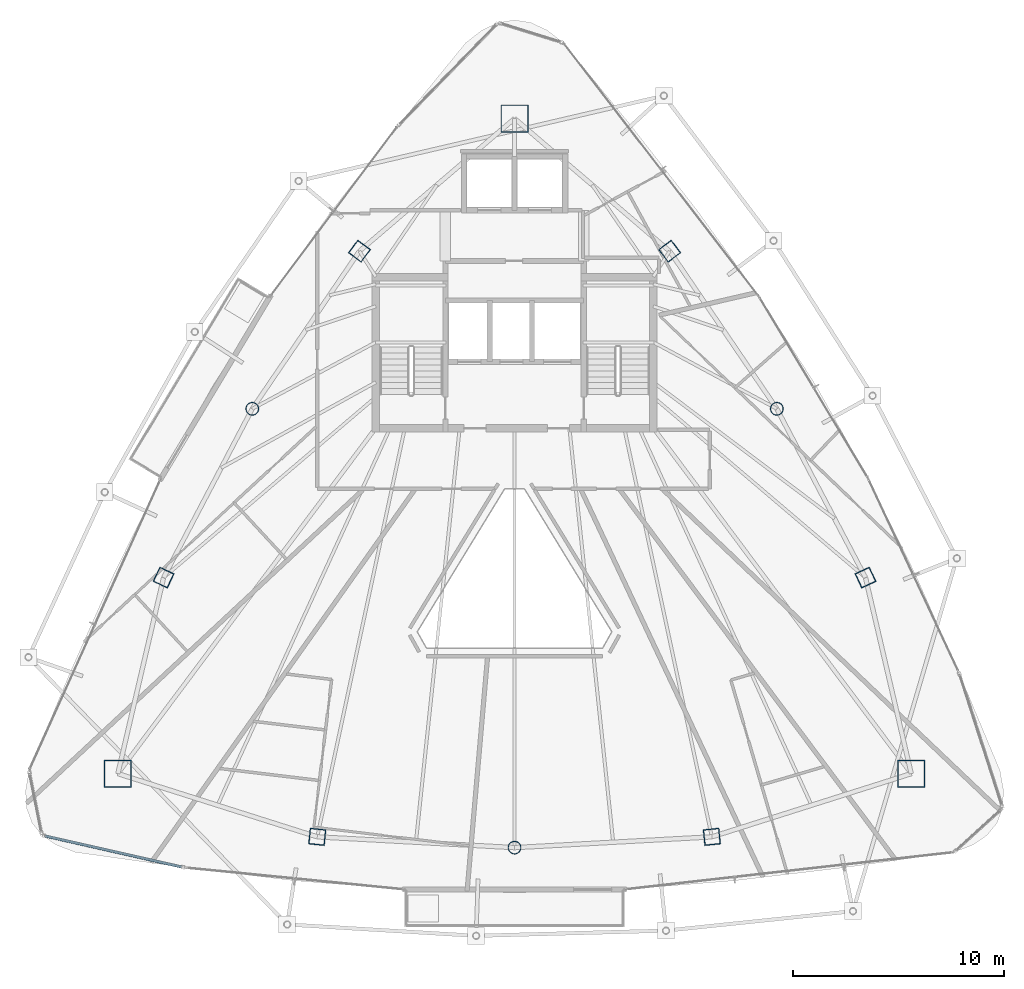
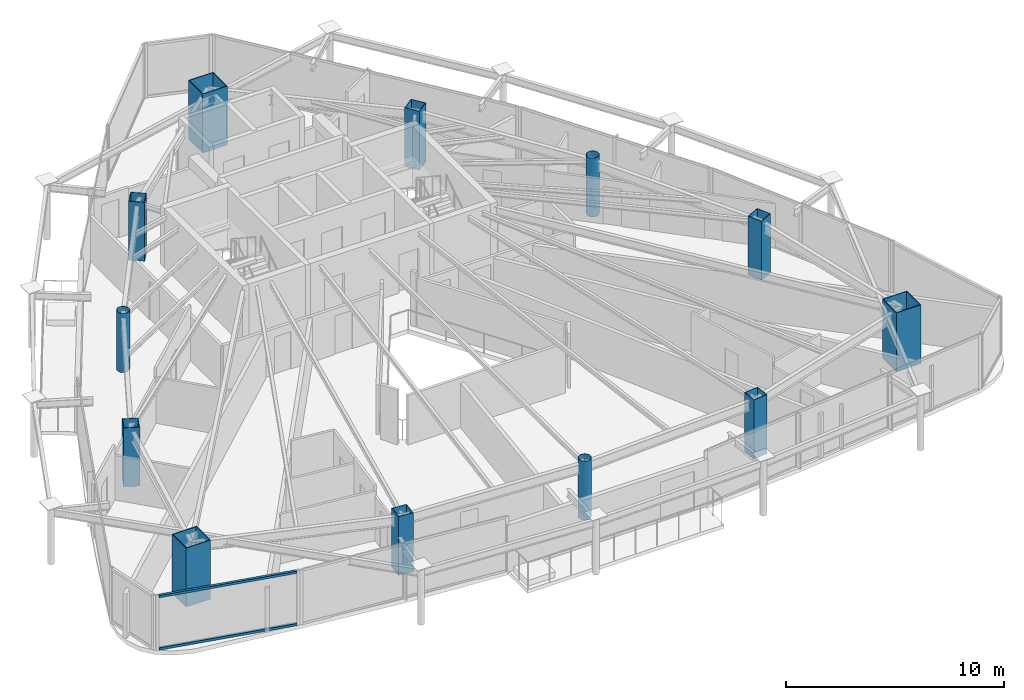
# One storey, part 1 of 32: 12 columns, 2 members, 1 element without a shape of its own.
"""IFC4 building model written with IfcOpenShell, lengths in metres."""

import ifcopenshell
import ifcopenshell.guid

model = None  # the IFC model being written
_history = None  # IfcOwnerHistory: only IFC2X3 demands one
_inside = {}  # id of a spatial element -> (the spatial element, [elements in it])
_under = {}  # id of a project, library or spatial element -> (it, [spatial elements below it])
_declared = {}  # id of a project -> (the project, [libraries it declares])
_typed = {}  # id of a type object -> (the type object, [elements of that type])
_made_of = {}  # id of a material, layer set ... -> (it, [elements and type objects made of it])


def new_model(schema):
    """Start an empty IFC model of exactly this schema.

    Asked for "IFC4X3", IfcOpenShell would pick the latest addendum, in which some entities
    have other attributes; the version numbers below select the first issue.
    IFC2X3 requires an IfcOwnerHistory on every rooted entity: one is made here for all.
    """
    global model, _history
    if schema == "IFC4X3":
        model = ifcopenshell.file(schema_version=(4, 3, 0, 0))
    else:
        model = ifcopenshell.file(schema=schema)
    _inside.clear()
    _under.clear()
    _declared.clear()
    _typed.clear()
    _made_of.clear()
    _history = None
    if model.schema == "IFC2X3":
        org = make("IfcOrganization", Name="unknown")
        user = make(
            "IfcPersonAndOrganization",
            ThePerson=make("IfcPerson", FamilyName="unknown"),
            TheOrganization=org,
        )
        app = make(
            "IfcApplication",
            ApplicationDeveloper=org,
            Version="unknown",
            ApplicationFullName="unknown",
            ApplicationIdentifier="unknown",
        )
        _history = make(
            "IfcOwnerHistory",
            OwningUser=user,
            OwningApplication=app,
            ChangeAction="ADDED",
            CreationDate=0,
        )
    return model


def make(cls, **values):
    """One entity of the class cls with the attributes given. An attribute that is None is left unset."""
    return model.create_entity(
        cls, **{name: value for name, value in values.items() if value is not None}
    )


def rooted(cls, **values):
    """An entity with a GlobalId (a new one), such as an element, a storey or a relation."""
    return make(cls, GlobalId=ifcopenshell.guid.new(), OwnerHistory=_history, **values)


def si_unit(unit_type, name, prefix=None):
    """IfcSIUnit, for example si_unit("LENGTHUNIT", "METRE", prefix="MILLI")."""
    return make("IfcSIUnit", UnitType=unit_type, Prefix=prefix, Name=name)


def assignment(units):
    """IfcUnitAssignment: the units of a project."""
    return None if units is None else make("IfcUnitAssignment", Units=units)


def point(xyz):
    """IfcCartesianPoint."""
    return None if xyz is None else make("IfcCartesianPoint", Coordinates=xyz)


def direction(xyz):
    """IfcDirection."""
    return None if xyz is None else make("IfcDirection", DirectionRatios=xyz)


def frame(location, z_axis=None, x_axis=None):
    """IfcAxis2Placement3D, a coordinate frame: its origin and axes. An axis left out is left unset."""
    return make(
        "IfcAxis2Placement3D",
        Location=point(location),
        Axis=direction(z_axis),
        RefDirection=direction(x_axis),
    )


def frame_2d(location, x_axis=None):
    """IfcAxis2Placement2D, a coordinate frame in the plane: its origin and x axis."""
    return make(
        "IfcAxis2Placement2D", Location=point(location), RefDirection=direction(x_axis)
    )


def origin():
    """The frame at (0, 0, 0) with its axes left unset."""
    return frame((0.0, 0.0, 0.0))


def origin_2d():
    """The frame at (0, 0) in the plane with its x axis left unset."""
    return frame_2d((0.0, 0.0))


def place(relative_to, where):
    """IfcLocalPlacement: puts the frame where relative to a parent placement (None: the world)."""
    return make(
        "IfcLocalPlacement", PlacementRelTo=relative_to, RelativePlacement=where
    )


def context(
    kind, dimensions, precision=None, world=None, true_north=None, identifier=None
):
    """IfcGeometricRepresentationContext, for example the 3D "Model" context."""
    return make(
        "IfcGeometricRepresentationContext",
        ContextIdentifier=identifier,
        ContextType=kind,
        CoordinateSpaceDimension=dimensions,
        Precision=precision,
        WorldCoordinateSystem=world,
        TrueNorth=true_north,
    )


def subcontext(parent, identifier, kind, view, scale=None):
    """IfcGeometricRepresentationSubContext, for example "Body" below "Model"."""
    return make(
        "IfcGeometricRepresentationSubContext",
        ContextIdentifier=identifier,
        ContextType=kind,
        ParentContext=parent,
        TargetScale=scale,
        TargetView=view,
    )


def project(units=None, contexts=None):
    """IfcProject with its units and contexts."""
    return rooted(
        "IfcProject",
        Name="project",
        RepresentationContexts=contexts,
        UnitsInContext=assignment(units),
    )


def spatial(cls, under=None, at=None, **own):
    """A site, building, storey or space (cls), placed at a placement, below another one or the project."""
    s = rooted(cls, ObjectPlacement=at, **own)
    if under is not None:
        _under.setdefault(under.id(), (under, []))[1].append(s)
    return s


def profile(cls, at=None, kind="AREA", **sizes):
    """A parametric profile (cls). Its sizes go by their IFC names, for example OverallWidth=200.0."""
    return make(cls, ProfileType=kind, Position=at, **sizes)


def hollow_rectangle(**sizes):
    """IfcRectangleHollowProfileDef."""
    return profile("IfcRectangleHollowProfileDef", **sizes)


def hollow_circle(**sizes):
    """IfcCircleHollowProfileDef."""
    return profile("IfcCircleHollowProfileDef", **sizes)


def extrude(swept, where, along, depth):
    """IfcExtrudedAreaSolid: the profile swept, set in the frame where, extruded along a direction by depth."""
    return make(
        "IfcExtrudedAreaSolid",
        SweptArea=swept,
        Position=where,
        ExtrudedDirection=direction(along),
        Depth=depth,
    )


def shape(context_of_items, identifier, shape_type, items):
    """IfcShapeRepresentation: the items that make up one representation, for example the "Body"."""
    return make(
        "IfcShapeRepresentation",
        ContextOfItems=context_of_items,
        RepresentationIdentifier=identifier,
        RepresentationType=shape_type,
        Items=items,
    )


def material(Name=None, Category=None):
    """IfcMaterial."""
    return make("IfcMaterial", Name=Name, Category=Category)


def layer(
    of_material, thickness, ventilated=None, Name=None, Category=None, Priority=None
):
    """IfcMaterialLayer: one layer of a wall or slab, of a material (None: an air gap)."""
    return make(
        "IfcMaterialLayer",
        Material=of_material,
        LayerThickness=thickness,
        IsVentilated=ventilated,
        Name=Name,
        Category=Category,
        Priority=Priority,
    )


def layer_set(layers, Name=None):
    """IfcMaterialLayerSet."""
    return make("IfcMaterialLayerSet", MaterialLayers=layers, LayerSetName=Name)


def material_profile(
    of_material, cross_section, Name=None, Category=None, Priority=None
):
    """IfcMaterialProfile: a cross section and its material."""
    return make(
        "IfcMaterialProfile",
        Name=Name,
        Material=of_material,
        Profile=cross_section,
        Priority=Priority,
        Category=Category,
    )


def profile_set(profiles, Name=None, composite=None):
    """IfcMaterialProfileSet."""
    return make(
        "IfcMaterialProfileSet",
        Name=Name,
        MaterialProfiles=profiles,
        CompositeProfile=composite,
    )


def made_of(thing, what):
    """Note that an element or type object is made of a material, layer set ...; save() writes the relation."""
    if what is not None:
        _made_of.setdefault(what.id(), (what, []))[1].append(thing)
    return thing


def type_object(cls, material=None, **own):
    """A type object (cls), such as IfcWallType, which elements share."""
    return made_of(rooted(cls, **own), material)


def element(
    cls,
    number,
    at=None,
    inside=None,
    cuts=None,
    type_object=None,
    material=None,
    context=None,
    identifier="Body",
    shape_type=None,
    held_by="IfcProductDefinitionShape",
    body=None,
    shapes=None,
    **own,
):
    """One element of the class cls, such as IfcWall. Its Tag is "e" and its number.

    at: its placement. inside: the storey or other place that contains it. cuts: it is an
    opening in that element (IfcRelVoidsElement). A single representation is given by context,
    identifier, shape_type and body (its items); several are given by shapes. held_by: the class
    of the entity that holds the representations. save() writes the other relations.
    """
    e = rooted(cls, Tag="e%d" % number, ObjectPlacement=at, **own)
    if body is not None:
        shapes = [shape(context, identifier, shape_type, body)]
    if shapes is not None:
        e.Representation = make(held_by, Representations=shapes)
    if inside is not None:
        _inside.setdefault(inside.id(), (inside, []))[1].append(e)
    if cuts is not None:
        rooted(
            "IfcRelVoidsElement", RelatingBuildingElement=cuts, RelatedOpeningElement=e
        )
    if type_object is not None:
        _typed.setdefault(type_object.id(), (type_object, []))[1].append(e)
    return made_of(e, material)


def aggregate(whole, parts):
    """IfcRelAggregates: a whole, such as a stair, and the parts it consists of."""
    return rooted("IfcRelAggregates", RelatingObject=whole, RelatedObjects=parts)


def save(model, path):
    """Write the relations noted so far, then the file.

    IfcRelAggregates (storeys below a building ...), IfcRelContainedInSpatialStructure (elements
    in a storey), IfcRelDefinesByType, IfcRelAssociatesMaterial and IfcRelDeclares: one each for
    every whole, place, type object, material and project.
    """
    for whole, parts in _under.values():
        aggregate(whole, parts)
    for where, things in _inside.values():
        rooted(
            "IfcRelContainedInSpatialStructure",
            RelatedElements=things,
            RelatingStructure=where,
        )
    for kind, things in _typed.values():
        rooted("IfcRelDefinesByType", RelatedObjects=things, RelatingType=kind)
    for what, things in _made_of.values():
        rooted("IfcRelAssociatesMaterial", RelatedObjects=things, RelatingMaterial=what)
    for by, libraries in _declared.values():
        rooted("IfcRelDeclares", RelatingContext=by, RelatedDefinitions=libraries)
    model.write(path)


model = new_model("IFC4")

# Units and contexts
model_context = context("Model", 3, precision=1e-05, world=origin(), true_north=direction((0.0, 1.0)))
body_context = subcontext(model_context, "Body", "Model", "MODEL_VIEW")
ifc_project = project(units=[si_unit("LENGTHUNIT", "METRE"), si_unit("AREAUNIT", "SQUARE_METRE"), si_unit("VOLUMEUNIT", "CUBIC_METRE"), si_unit("PLANEANGLEUNIT", "RADIAN"), si_unit("MASSUNIT", "GRAM", prefix="KILO")], contexts=[model_context])

# Site, building, storey
site_placement = place(None, origin())
site = spatial("IfcSite", under=ifc_project, at=site_placement, CompositionType="ELEMENT")
building_placement = place(site_placement, origin())
building = spatial("IfcBuilding", under=site, at=building_placement, Name="Orvanel Arch Residences", CompositionType="ELEMENT")
storey_placement = place(building_placement, frame((0.0, 0.0, 222.800048828125)))
storey = spatial("IfcBuildingStorey", under=building, at=storey_placement, Name="L63", CompositionType="ELEMENT", Elevation=222.800048828125)

# Columns
ifc_material_1 = material(Name="Structural steel AS/NZS 1163 C350L0 (Grade 350)", Category="steel")
ifc_material_profile_1 = material_profile(ifc_material_1, hollow_circle(Radius=0.304931640625, WallThickness=0.01611328125, at=origin_2d()), Name="CHS610x16")
ifc_profile_set_1 = profile_set([ifc_material_profile_1], Name="Structural steel AS/NZS 1163 C350L0 (Grade 350)")
column_type_1 = type_object("IfcColumnType", Name="CC-610", PredefinedType="COLUMN", material=ifc_profile_set_1)
for number, where, z_axis, x_axis, name in (
    (1, (20.569091796875, 27.64111328125, 0.0), (0.0, 0.0, 1.0), (1.0, 0.0, 0.0), "L63 High-Rise Tube Column 02"),
    (2, (33.0, 6.843994140625, 0.0), (0.0, 0.0, 1.0), (1.0, 0.0, 0.0), "L63 High-Rise Tube Column 05"),
    (3, (45.430908203125, 27.64111328125, 0.0), (0.0, 0.0, 1.0), (1.0, 0.0, 0.0), "L63 High-Rise Tube Column 08"),
):
    element("IfcColumn", number, at=place(storey_placement, frame(where, z_axis=z_axis, x_axis=x_axis)), inside=storey, type_object=column_type_1, Name=name, PredefinedType="COLUMN", context=body_context, shape_type="SweptSolid", body=[
        extrude(hollow_circle(Radius=0.304931640625, WallThickness=0.01611328125, at=origin_2d()), origin(), (0.0, 0.0, 1.0), 3.300048828125),
    ])
ifc_material_2 = material(Name="Structural steel AS/NZS 3678 Grade 450", Category="steel")
ifc_material_profile_2 = material_profile(ifc_material_2, hollow_rectangle(XDim=1.300048828125, YDim=1.300048828125, WallThickness=0.0400390625, at=origin_2d()), Name="BOX1300x1300x40")
ifc_profile_set_2 = profile_set([ifc_material_profile_2], Name="Structural steel AS/NZS 3678 Grade 450")
column_type_2 = type_object("IfcColumnType", Name="MC-1300", PredefinedType="COLUMN", material=ifc_profile_set_2)
for number, where, z_axis, x_axis, name in (
    (4, (33.0, 41.39794921875, 0.0), (0.0, 0.0, 1.0), (1.0, 0.0, 0.0), "L63 Corner Mega-Column 1"),
    (5, (14.198974609375, 10.35107421875, 0.0), (0.0, 0.0, 1.0), (1.0, 0.0, 0.0), "L63 Corner Mega-Column 2"),
    (6, (51.801025390625, 10.35107421875, 0.0), (0.0, 0.0, 1.0), (1.0, 0.0, 0.0), "L63 Corner Mega-Column 3"),
):
    element("IfcColumn", number, at=place(storey_placement, frame(where, z_axis=z_axis, x_axis=x_axis)), inside=storey, type_object=column_type_2, Name=name, PredefinedType="COLUMN", context=body_context, shape_type="SweptSolid", body=[
        extrude(hollow_rectangle(XDim=1.300048828125, YDim=1.300048828125, WallThickness=0.0400390625, at=origin_2d()), origin(), (0.0, 0.0, 1.0), 3.300048828125),
    ])
ifc_material_3 = material(Name="Structural steel AS/NZS 3678 Grade 350", Category="steel")
ifc_material_profile_3 = material_profile(ifc_material_3, hollow_rectangle(XDim=0.75, YDim=0.75, WallThickness=0.02490234375, at=origin_2d()), Name="BOX750x750x25")
ifc_profile_set_3 = profile_set([ifc_material_profile_3], Name="Structural steel AS/NZS 3678 Grade 350")
column_type_3 = type_object("IfcColumnType", Name="TC-750", PredefinedType="COLUMN", material=ifc_profile_set_3)
for number, where, z_axis, x_axis, name in (
    (7, (25.64794921875, 35.113037109375, 0.0), (0.0, 0.0, 1.0), (0.600420225326, 0.799684658487, 0.0), "L63 High-Rise Tube Column 01"),
    (8, (16.366943359375, 19.64208984375, 0.0), (0.0, 0.0, 1.0), (0.422618261741, 0.906307787037, 0.0), "L63 High-Rise Tube Column 03"),
    (9, (23.64892578125, 7.35498046875, 0.0), (0.0, 0.0, 1.0), (-0.994880708829, 0.101056297183, 0.0), "L63 High-Rise Tube Column 04"),
    (10, (42.35107421875, 7.35498046875, 0.0), (0.0, 0.0, 1.0), (0.994880708829, 0.101056297183, 0.0), "L63 High-Rise Tube Column 06"),
    (11, (49.633056640625, 19.64208984375, 0.0), (0.0, 0.0, 1.0), (-0.422618261741, 0.906307787037, 0.0), "L63 High-Rise Tube Column 07"),
    (12, (40.35205078125, 35.113037109375, 0.0), (0.0, 0.0, 1.0), (-0.600420225326, 0.799684658487, 0.0), "L63 High-Rise Tube Column 09"),
):
    element("IfcColumn", number, at=place(storey_placement, frame(where, z_axis=z_axis, x_axis=x_axis)), inside=storey, type_object=column_type_3, Name=name, PredefinedType="COLUMN", context=body_context, shape_type="SweptSolid", body=[
        extrude(hollow_rectangle(XDim=0.75, YDim=0.75, WallThickness=0.02490234375, at=origin_2d()), origin(), (0.0, 0.0, 1.0), 3.300048828125),
    ])

# Curtain wall, members
ifc_material_4 = material(Name="Bronze-anodised aluminium AA6063-T6", Category="aluminium")
ifc_layer = layer(ifc_material_4, 0.18994140625)
ifc_layer_set = layer_set([ifc_layer], Name="Bronze-anodised aluminium AA6063-T6")
curtain_wall_type = type_object("IfcCurtainWallType", Name="CW5-CRN-SYS", PredefinedType="NOTDEFINED", material=ifc_layer_set)
curtain_wall_placement = place(storey_placement, origin())
curtain_wall = element("IfcCurtainWall", 13, at=curtain_wall_placement, inside=storey, type_object=curtain_wall_type, Name="L63 CW5-CRN-SYS Unitised Curtain Wall", PredefinedType="NOTDEFINED")
ifc_material_profile_4 = material_profile(ifc_material_4, hollow_rectangle(XDim=0.1298828125, YDim=0.1298828125, WallThickness=0.00439453125, at=origin_2d()), Name="ALU130x130x4.5")
ifc_profile_set_4 = profile_set([ifc_material_profile_4], Name="Bronze-anodised aluminium AA6063-T6")
member_type = type_object("IfcMemberType", Name="TRN-130x130", PredefinedType="USERDEFINED", material=ifc_profile_set_4)
member_1_placement = place(storey_placement, frame((10.764404296875, 7.393798828125, 0.06494140625), z_axis=(0.975232423085, -0.22118255122, 0.0), x_axis=(0.22118255122, 0.975232423085, 0.0)))
member_1 = element("IfcMember", 14, at=member_1_placement, type_object=member_type, Name="CW-S5 transom 1.1", ObjectType="TRANSOM", PredefinedType="USERDEFINED", context=body_context, shape_type="SweptSolid", body=[
    extrude(hollow_rectangle(XDim=0.1298828125, YDim=0.1298828125, WallThickness=0.00439453125, at=origin_2d()), origin(), (0.0, 0.0, 1.0), 6.6171875),
])
member_2_placement = place(storey_placement, frame((10.764404296875, 7.393798828125, 2.994873046875), z_axis=(0.975232423085, -0.22118255122, 0.0), x_axis=(0.22118255122, 0.975232423085, 0.0)))
member_2 = element("IfcMember", 15, at=member_2_placement, type_object=member_type, Name="CW-S5 transom 1.2", ObjectType="TRANSOM", PredefinedType="USERDEFINED", context=body_context, shape_type="SweptSolid", body=[
    extrude(hollow_rectangle(XDim=0.1298828125, YDim=0.1298828125, WallThickness=0.00439453125, at=origin_2d()), origin(), (0.0, 0.0, 1.0), 6.6171875),
])
aggregate(curtain_wall, [member_1, member_2])

save(model, "model.ifc")
